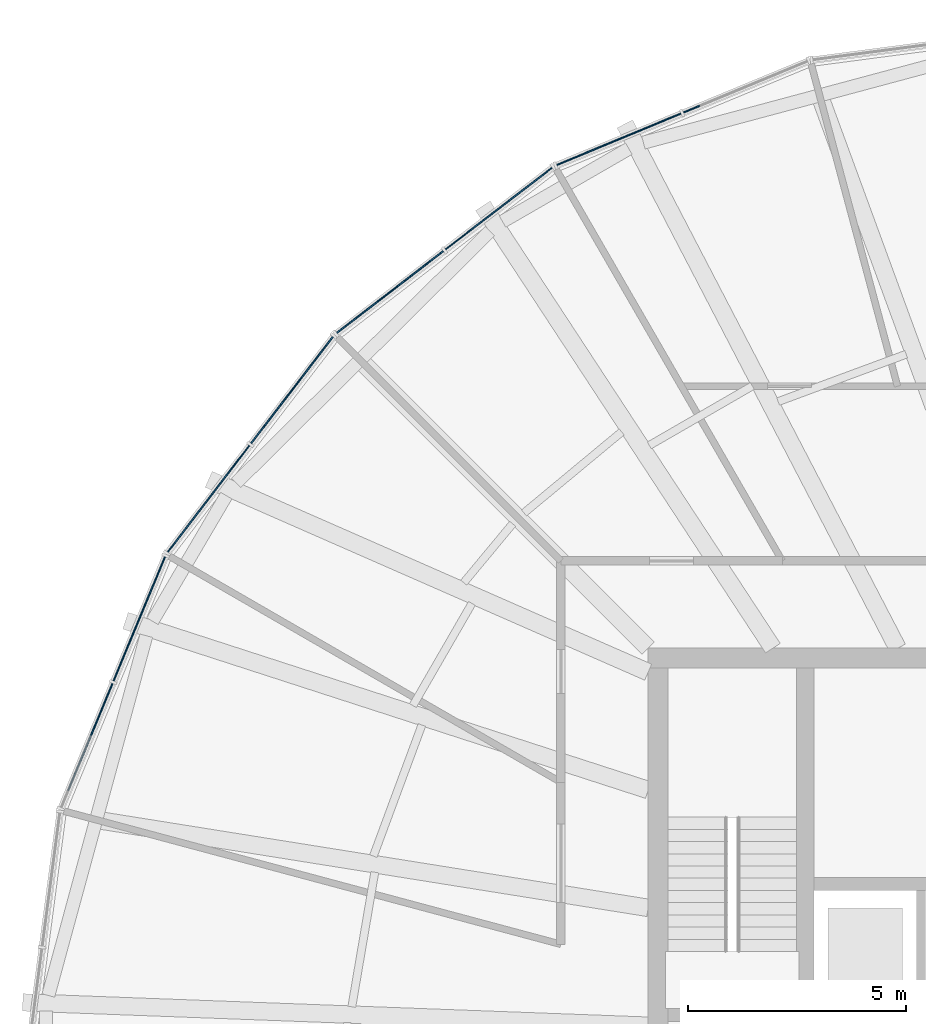
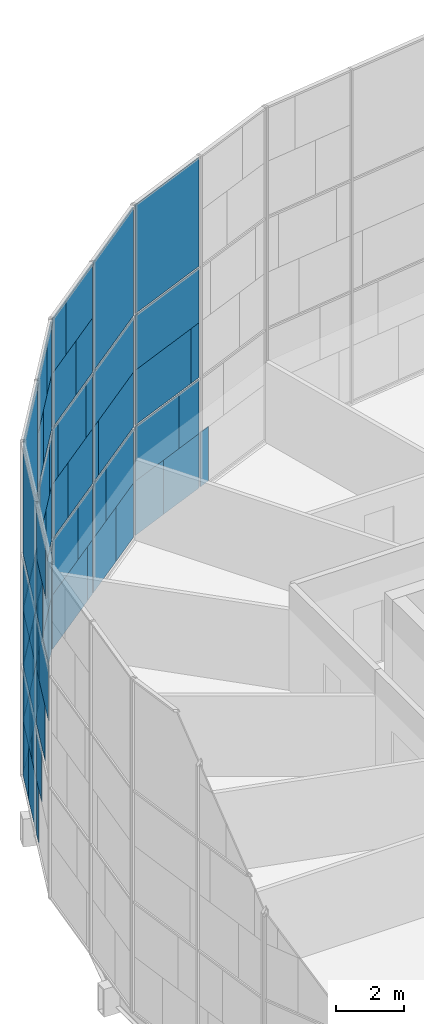
# One storey, part 15 of 22: 66 plates, 4 elements without a shape of their own.
"""IFC4 building model written with IfcOpenShell, lengths in metres."""

from ifc_helpers import new_model, si_unit, direction, frame, origin, origin_2d, place, context, subcontext, project, spatial, rectangle, extrude, material, layer, layer_set, type_object, element, aggregate, save


model = new_model("IFC4")

# Units and contexts
model_context = context("Model", 3, precision=1e-05, world=origin(), true_north=direction((0.0, 1.0)))
body_context = subcontext(model_context, "Body", "Model", "MODEL_VIEW")
ifc_project = project(units=[si_unit("LENGTHUNIT", "METRE"), si_unit("AREAUNIT", "SQUARE_METRE"), si_unit("VOLUMEUNIT", "CUBIC_METRE"), si_unit("PLANEANGLEUNIT", "RADIAN"), si_unit("MASSUNIT", "GRAM", prefix="KILO")], contexts=[model_context])

# Site, building, storey
site_placement = place(None, origin())
site = spatial("IfcSite", under=ifc_project, at=site_placement, CompositionType="ELEMENT")
building_placement = place(site_placement, origin())
building = spatial("IfcBuilding", under=site, at=building_placement, Name="Golbaran Civic Tower", CompositionType="ELEMENT")
storey_placement = place(building_placement, frame((0.0, 0.0, 155.0)))
storey = spatial("IfcBuildingStorey", under=building, at=storey_placement, Name="L37", CompositionType="ELEMENT", Elevation=155.0)

# Curtain wall, plates
ifc_material_1 = material(Name="Aluminium and glass", Category="aluminium")
curtain_wall_type = type_object("IfcCurtainWallType", Name="INNER SKIN CURTAIN WALL", PredefinedType="NOTDEFINED", material=ifc_material_1)
curtain_wall_1_placement = place(storey_placement, origin())
curtain_wall_1 = element("IfcCurtainWall", 1, at=curtain_wall_1_placement, inside=storey, type_object=curtain_wall_type, Name="Inner skin L37 facet 8 CW1", ObjectType="INNER SKIN", PredefinedType="USERDEFINED")
ifc_material_2 = material(Name="Clear insulating glass", Category="glass")
ifc_layer_1 = layer(ifc_material_2, 0.031982421875, Name="Clear insulating glass")
ifc_layer_set_1 = layer_set([ifc_layer_1], Name="Clear insulating glass")
plate_type_1 = type_object("IfcPlateType", Name="INNER SKIN CURTAIN WALL GLAZED PANEL", PredefinedType="CURTAIN_PANEL", material=ifc_layer_set_1)
plate_1_placement = place(storey_placement, frame((-11.4697265625, 21.328369140625, 0.06494140625), z_axis=(0.0, 0.0, 1.0), x_axis=(-0.923879532551, -0.382683432268, 0.0)))
plate_1 = element("IfcPlate", 2, at=plate_1_placement, type_object=plate_type_1, Name="CW1 panel 2.1 part 2", PredefinedType="CURTAIN_PANEL", context=body_context, shape_type="SweptSolid", body=[
    extrude(rectangle(XDim=1.344482421875, YDim=0.031982421875, at=origin_2d()), origin(), (0.0, 0.0, 1.0), 1.951171875),
])
plate_2_placement = place(storey_placement, frame((-11.12158203125, 21.47265625, 2.016357421875), z_axis=(0.0, 0.0, 1.0), x_axis=(-0.923879532551, -0.382683432268, 0.0)))
plate_2 = element("IfcPlate", 3, at=plate_2_placement, type_object=plate_type_1, Name="CW1 panel 2.1 part 4", PredefinedType="CURTAIN_PANEL", context=body_context, shape_type="SweptSolid", body=[
    extrude(rectangle(XDim=2.0986328125, YDim=0.031982421875, at=origin_2d()), origin(), (0.0, 0.0, 1.0), 1.951171875),
])
plate_3_placement = place(storey_placement, frame((-10.85546875, 21.582763671875, 4.03271484375), z_axis=(0.0, 0.0, 1.0), x_axis=(-0.923879532551, -0.382683432268, 0.0)))
plate_3 = element("IfcPlate", 4, at=plate_3_placement, type_object=plate_type_1, Name="CW1 panel 2.2 part 2", PredefinedType="CURTAIN_PANEL", context=body_context, shape_type="SweptSolid", body=[
    extrude(rectangle(XDim=2.674560546875, YDim=0.031982421875, at=origin_2d()), origin(), (0.0, 0.0, 1.0), 1.967529296875),
])
plate_4_placement = place(storey_placement, frame((-10.670654296875, 21.659423828125, 6.0), z_axis=(0.0, 0.0, 1.0), x_axis=(-0.923879532551, -0.382683432268, 0.0)))
plate_4 = element("IfcPlate", 5, at=plate_4_placement, type_object=plate_type_1, Name="CW1 panel 2.2 part 3", PredefinedType="CURTAIN_PANEL", context=body_context, shape_type="SweptSolid", body=[
    extrude(rectangle(XDim=3.074462890625, YDim=0.031982421875, at=origin_2d()), origin(), (0.0, 0.0, 1.0), 1.967529296875),
])
plate_5_placement = place(storey_placement, frame((-10.670654296875, 21.659423828125, 8.0322265625), z_axis=(0.0, 0.0, 1.0), x_axis=(-0.923879532551, -0.382683432268, 0.0)))
plate_5 = element("IfcPlate", 6, at=plate_5_placement, type_object=plate_type_1, Name="CW1 panel 2.3", PredefinedType="CURTAIN_PANEL", context=body_context, shape_type="SweptSolid", body=[
    extrude(rectangle(XDim=3.074462890625, YDim=0.031982421875, at=origin_2d()), origin(), (0.0, 0.0, 1.0), 3.902587890625),
])

curtain_wall_2_placement = place(storey_placement, origin())
curtain_wall_2 = element("IfcCurtainWall", 7, at=curtain_wall_2_placement, inside=storey, type_object=curtain_wall_type, Name="Inner skin L37 facet 9 CW1", ObjectType="INNER SKIN", PredefinedType="USERDEFINED")
plate_6_placement = place(storey_placement, frame((-12.736083984375, 20.59716796875, 0.06494140625), z_axis=(0.0, 0.0, 1.0), x_axis=(-0.793353340217, -0.608761429106, 0.0)))
plate_6 = element("IfcPlate", 8, at=plate_6_placement, type_object=plate_type_1, Name="CW1 panel 1.1 part 1", PredefinedType="CURTAIN_PANEL", context=body_context, shape_type="SweptSolid", body=[
    extrude(rectangle(XDim=1.344970703125, YDim=0.031982421875, at=origin_2d()), origin(), (0.0, 0.0, 1.0), 1.951171875),
])
plate_7_placement = place(storey_placement, frame((-13.034912109375, 20.367919921875, 2.016357421875), z_axis=(0.0, 0.0, 1.0), x_axis=(-0.793353340217, -0.608761429106, 0.0)))
plate_7 = element("IfcPlate", 9, at=plate_7_placement, type_object=plate_type_1, Name="CW1 panel 1.1 part 3", PredefinedType="CURTAIN_PANEL", context=body_context, shape_type="SweptSolid", body=[
    extrude(rectangle(XDim=2.097900390625, YDim=0.031982421875, at=origin_2d()), origin(), (0.0, 0.0, 1.0), 1.951171875),
])
plate_8_placement = place(storey_placement, frame((-13.262939453125, 20.19287109375, 4.03271484375), z_axis=(0.0, 0.0, 1.0), x_axis=(-0.793353340217, -0.608761429106, 0.0)))
plate_8 = element("IfcPlate", 10, at=plate_8_placement, type_object=plate_type_1, Name="CW1 panel 1.2 part 1", PredefinedType="CURTAIN_PANEL", context=body_context, shape_type="SweptSolid", body=[
    extrude(rectangle(XDim=2.673095703125, YDim=0.031982421875, at=origin_2d()), origin(), (0.0, 0.0, 1.0), 1.967529296875),
])
plate_9_placement = place(storey_placement, frame((-13.422119140625, 20.07080078125, 6.0), z_axis=(0.0, 0.0, 1.0), x_axis=(-0.793353340217, -0.608761429106, 0.0)))
plate_9 = element("IfcPlate", 11, at=plate_9_placement, type_object=plate_type_1, Name="CW1 panel 1.2 part 3", PredefinedType="CURTAIN_PANEL", context=body_context, shape_type="SweptSolid", body=[
    extrude(rectangle(XDim=3.074462890625, YDim=0.031982421875, at=origin_2d()), origin(), (0.0, 0.0, 1.0), 1.967529296875),
])
plate_10_placement = place(storey_placement, frame((-13.422119140625, 20.07080078125, 8.0322265625), z_axis=(0.0, 0.0, 1.0), x_axis=(-0.793353340217, -0.608761429106, 0.0)))
plate_10 = element("IfcPlate", 12, at=plate_10_placement, type_object=plate_type_1, Name="CW1 panel 1.3", PredefinedType="CURTAIN_PANEL", context=body_context, shape_type="SweptSolid", body=[
    extrude(rectangle(XDim=3.074462890625, YDim=0.031982421875, at=origin_2d()), origin(), (0.0, 0.0, 1.0), 3.902587890625),
])
plate_11_placement = place(storey_placement, frame((-16.072021484375, 18.037353515625, 0.06494140625), z_axis=(0.0, 0.0, 1.0), x_axis=(-0.793353340217, -0.608761429106, 0.0)))
plate_11 = element("IfcPlate", 13, at=plate_11_placement, type_object=plate_type_1, Name="CW1 panel 2.1 part 2", PredefinedType="CURTAIN_PANEL", context=body_context, shape_type="SweptSolid", body=[
    extrude(rectangle(XDim=2.673583984375, YDim=0.031982421875, at=origin_2d()), origin(), (0.0, 0.0, 1.0), 1.951171875),
])
plate_12_placement = place(storey_placement, frame((-16.353271484375, 17.821533203125, 2.016357421875), z_axis=(0.0, 0.0, 1.0), x_axis=(-0.793353340217, -0.608761429106, 0.0)))
plate_12 = element("IfcPlate", 14, at=plate_12_placement, type_object=plate_type_1, Name="CW1 panel 2.1 part 4", PredefinedType="CURTAIN_PANEL", context=body_context, shape_type="SweptSolid", body=[
    extrude(rectangle(XDim=1.964599609375, YDim=0.031982421875, at=origin_2d()), origin(), (0.0, 0.0, 1.0), 1.951171875),
])
plate_13_placement = place(storey_placement, frame((-16.66455078125, 17.582763671875, 4.03271484375), z_axis=(0.0, 0.0, 1.0), x_axis=(-0.793353340217, -0.608761429106, 0.0)))
plate_13 = element("IfcPlate", 15, at=plate_13_placement, type_object=plate_type_1, Name="CW1 panel 2.2 part 2", PredefinedType="CURTAIN_PANEL", context=body_context, shape_type="SweptSolid", body=[
    extrude(rectangle(XDim=1.179443359375, YDim=0.031982421875, at=origin_2d()), origin(), (0.0, 0.0, 1.0), 1.967529296875),
])
plate_14_placement = place(storey_placement, frame((-14.890380859375, 18.944091796875, 6.0), z_axis=(0.0, 0.0, 1.0), x_axis=(-0.793353340217, -0.608761429106, 0.0)))
plate_14 = element("IfcPlate", 16, at=plate_14_placement, type_object=plate_type_1, Name="CW1 panel 2.2 part 3", PredefinedType="CURTAIN_PANEL", context=body_context, shape_type="SweptSolid", body=[
    extrude(rectangle(XDim=0.4970703125, YDim=0.031982421875, at=origin_2d()), origin(), (0.0, 0.0, 1.0), 1.967529296875),
])
plate_15_placement = place(storey_placement, frame((-16.966064453125, 17.351318359375, 6.0), z_axis=(0.0, 0.0, 1.0), x_axis=(-0.793353340217, -0.608761429106, 0.0)))
plate_15 = element("IfcPlate", 17, at=plate_15_placement, type_object=plate_type_1, Name="CW1 panel 2.2 part 5", PredefinedType="CURTAIN_PANEL", context=body_context, shape_type="SweptSolid", body=[
    extrude(rectangle(XDim=0.41943359375, YDim=0.031982421875, at=origin_2d()), origin(), (0.0, 0.0, 1.0), 1.967529296875),
])
plate_16_placement = place(storey_placement, frame((-15.201904296875, 18.705078125, 8.032470703125), z_axis=(0.0, 0.0, 1.0), x_axis=(-0.793353340217, -0.608761429106, 0.0)))
plate_16 = element("IfcPlate", 18, at=plate_16_placement, type_object=plate_type_1, Name="CW1 panel 2.3 part 1", PredefinedType="CURTAIN_PANEL", context=body_context, shape_type="SweptSolid", body=[
    extrude(rectangle(XDim=1.281982421875, YDim=0.031982421875, at=origin_2d()), origin(), (0.0, 0.0, 1.0), 1.951171875),
])
plate_17_placement = place(storey_placement, frame((-15.50048828125, 18.475830078125, 9.98388671875), z_axis=(0.0, 0.0, 1.0), x_axis=(-0.793353340217, -0.608761429106, 0.0)))
plate_17 = element("IfcPlate", 19, at=plate_17_placement, type_object=plate_type_1, Name="CW1 panel 2.3 part 3", PredefinedType="CURTAIN_PANEL", context=body_context, shape_type="SweptSolid", body=[
    extrude(rectangle(XDim=2.034912109375, YDim=0.031982421875, at=origin_2d()), origin(), (0.0, 0.0, 1.0), 1.951171875),
])

curtain_wall_3_placement = place(storey_placement, origin())
curtain_wall_3 = element("IfcCurtainWall", 20, at=curtain_wall_3_placement, inside=storey, type_object=curtain_wall_type, Name="Inner skin L37 facet 10 CW1", ObjectType="INNER SKIN", PredefinedType="USERDEFINED")
plate_18_placement = place(storey_placement, frame((-18.037353515625, 16.072265625, 0.06494140625), z_axis=(0.0, 0.0, 1.0), x_axis=(-0.608761429106, -0.793353340217, 0.0)))
plate_18 = element("IfcPlate", 21, at=plate_18_placement, type_object=plate_type_1, Name="CW1 panel 1.1 part 1", PredefinedType="CURTAIN_PANEL", context=body_context, shape_type="SweptSolid", body=[
    extrude(rectangle(XDim=2.673095703125, YDim=0.031982421875, at=origin_2d()), origin(), (0.0, 0.0, 1.0), 1.951171875),
])
plate_19_placement = place(storey_placement, frame((-17.821533203125, 16.353515625, 2.016357421875), z_axis=(0.0, 0.0, 1.0), x_axis=(-0.608761429106, -0.793353340217, 0.0)))
plate_19 = element("IfcPlate", 22, at=plate_19_placement, type_object=plate_type_1, Name="CW1 panel 1.1 part 3", PredefinedType="CURTAIN_PANEL", context=body_context, shape_type="SweptSolid", body=[
    extrude(rectangle(XDim=1.964111328125, YDim=0.031982421875, at=origin_2d()), origin(), (0.0, 0.0, 1.0), 1.951171875),
])
plate_20_placement = place(storey_placement, frame((-17.582763671875, 16.66455078125, 4.03271484375), z_axis=(0.0, 0.0, 1.0), x_axis=(-0.608761429106, -0.793353340217, 0.0)))
plate_20 = element("IfcPlate", 23, at=plate_20_placement, type_object=plate_type_1, Name="CW1 panel 1.2 part 1", PredefinedType="CURTAIN_PANEL", context=body_context, shape_type="SweptSolid", body=[
    extrude(rectangle(XDim=1.179931640625, YDim=0.031982421875, at=origin_2d()), origin(), (0.0, 0.0, 1.0), 1.967529296875),
])
plate_21_placement = place(storey_placement, frame((-17.3515625, 16.9658203125, 6.0), z_axis=(0.0, 0.0, 1.0), x_axis=(-0.608761429106, -0.793353340217, 0.0)))
plate_21 = element("IfcPlate", 24, at=plate_21_placement, type_object=plate_type_1, Name="CW1 panel 1.2 part 3", PredefinedType="CURTAIN_PANEL", context=body_context, shape_type="SweptSolid", body=[
    extrude(rectangle(XDim=0.419921875, YDim=0.031982421875, at=origin_2d()), origin(), (0.0, 0.0, 1.0), 1.967529296875),
])
plate_22_placement = place(storey_placement, frame((-18.944091796875, 14.890380859375, 6.0), z_axis=(0.0, 0.0, 1.0), x_axis=(-0.608761429106, -0.793353340217, 0.0)))
plate_22 = element("IfcPlate", 25, at=plate_22_placement, type_object=plate_type_1, Name="CW1 panel 1.2 part 5", PredefinedType="CURTAIN_PANEL", context=body_context, shape_type="SweptSolid", body=[
    extrude(rectangle(XDim=0.49658203125, YDim=0.031982421875, at=origin_2d()), origin(), (0.0, 0.0, 1.0), 1.967529296875),
])
plate_23_placement = place(storey_placement, frame((-18.705322265625, 15.20166015625, 8.032470703125), z_axis=(0.0, 0.0, 1.0), x_axis=(-0.608761429106, -0.793353340217, 0.0)))
plate_23 = element("IfcPlate", 26, at=plate_23_placement, type_object=plate_type_1, Name="CW1 panel 1.3 part 2", PredefinedType="CURTAIN_PANEL", context=body_context, shape_type="SweptSolid", body=[
    extrude(rectangle(XDim=1.281494140625, YDim=0.031982421875, at=origin_2d()), origin(), (0.0, 0.0, 1.0), 1.951171875),
])
plate_24_placement = place(storey_placement, frame((-18.475830078125, 15.500732421875, 9.98388671875), z_axis=(0.0, 0.0, 1.0), x_axis=(-0.608761429106, -0.793353340217, 0.0)))
plate_24 = element("IfcPlate", 27, at=plate_24_placement, type_object=plate_type_1, Name="CW1 panel 1.3 part 4", PredefinedType="CURTAIN_PANEL", context=body_context, shape_type="SweptSolid", body=[
    extrude(rectangle(XDim=2.03564453125, YDim=0.031982421875, at=origin_2d()), origin(), (0.0, 0.0, 1.0), 1.951171875),
])
plate_25_placement = place(storey_placement, frame((-20.597412109375, 12.73583984375, 0.06494140625), z_axis=(0.0, 0.0, 1.0), x_axis=(-0.608761429106, -0.793353340217, 0.0)))
plate_25 = element("IfcPlate", 28, at=plate_25_placement, type_object=plate_type_1, Name="CW1 panel 2.1 part 2", PredefinedType="CURTAIN_PANEL", context=body_context, shape_type="SweptSolid", body=[
    extrude(rectangle(XDim=1.344482421875, YDim=0.031982421875, at=origin_2d()), origin(), (0.0, 0.0, 1.0), 1.951171875),
])
plate_26_placement = place(storey_placement, frame((-20.367919921875, 13.034912109375, 2.016357421875), z_axis=(0.0, 0.0, 1.0), x_axis=(-0.608761429106, -0.793353340217, 0.0)))
plate_26 = element("IfcPlate", 29, at=plate_26_placement, type_object=plate_type_1, Name="CW1 panel 2.1 part 4", PredefinedType="CURTAIN_PANEL", context=body_context, shape_type="SweptSolid", body=[
    extrude(rectangle(XDim=2.0986328125, YDim=0.031982421875, at=origin_2d()), origin(), (0.0, 0.0, 1.0), 1.951171875),
])
plate_27_placement = place(storey_placement, frame((-20.1923828125, 13.263427734375, 4.03271484375), z_axis=(0.0, 0.0, 1.0), x_axis=(-0.608761429106, -0.793353340217, 0.0)))
plate_27 = element("IfcPlate", 30, at=plate_27_placement, type_object=plate_type_1, Name="CW1 panel 2.2 part 2", PredefinedType="CURTAIN_PANEL", context=body_context, shape_type="SweptSolid", body=[
    extrude(rectangle(XDim=2.674560546875, YDim=0.031982421875, at=origin_2d()), origin(), (0.0, 0.0, 1.0), 1.967529296875),
])
plate_28_placement = place(storey_placement, frame((-20.07080078125, 13.422119140625, 6.0), z_axis=(0.0, 0.0, 1.0), x_axis=(-0.608761429106, -0.793353340217, 0.0)))
plate_28 = element("IfcPlate", 31, at=plate_28_placement, type_object=plate_type_1, Name="CW1 panel 2.2 part 3", PredefinedType="CURTAIN_PANEL", context=body_context, shape_type="SweptSolid", body=[
    extrude(rectangle(XDim=3.074462890625, YDim=0.031982421875, at=origin_2d()), origin(), (0.0, 0.0, 1.0), 1.967529296875),
])
plate_29_placement = place(storey_placement, frame((-20.07080078125, 13.422119140625, 8.0322265625), z_axis=(0.0, 0.0, 1.0), x_axis=(-0.608761429106, -0.793353340217, 0.0)))
plate_29 = element("IfcPlate", 32, at=plate_29_placement, type_object=plate_type_1, Name="CW1 panel 2.3", PredefinedType="CURTAIN_PANEL", context=body_context, shape_type="SweptSolid", body=[
    extrude(rectangle(XDim=3.074462890625, YDim=0.031982421875, at=origin_2d()), origin(), (0.0, 0.0, 1.0), 3.902587890625),
])

curtain_wall_4_placement = place(storey_placement, origin())
curtain_wall_4 = element("IfcCurtainWall", 33, at=curtain_wall_4_placement, inside=storey, type_object=curtain_wall_type, Name="Inner skin L37 facet 11 CW1", ObjectType="INNER SKIN", PredefinedType="USERDEFINED")
plate_30_placement = place(storey_placement, frame((-21.328369140625, 11.4697265625, 0.06494140625), z_axis=(0.0, 0.0, 1.0), x_axis=(-0.382683432268, -0.923879532551, 0.0)))
plate_30 = element("IfcPlate", 34, at=plate_30_placement, type_object=plate_type_1, Name="CW1 panel 1.1 part 1", PredefinedType="CURTAIN_PANEL", context=body_context, shape_type="SweptSolid", body=[
    extrude(rectangle(XDim=1.344970703125, YDim=0.031982421875, at=origin_2d()), origin(), (0.0, 0.0, 1.0), 1.951171875),
])
plate_31_placement = place(storey_placement, frame((-21.472412109375, 11.121826171875, 2.016357421875), z_axis=(0.0, 0.0, 1.0), x_axis=(-0.382683432268, -0.923879532551, 0.0)))
plate_31 = element("IfcPlate", 35, at=plate_31_placement, type_object=plate_type_1, Name="CW1 panel 1.1 part 3", PredefinedType="CURTAIN_PANEL", context=body_context, shape_type="SweptSolid", body=[
    extrude(rectangle(XDim=2.097900390625, YDim=0.031982421875, at=origin_2d()), origin(), (0.0, 0.0, 1.0), 1.951171875),
])
plate_32_placement = place(storey_placement, frame((-21.58251953125, 10.856201171875, 4.03271484375), z_axis=(0.0, 0.0, 1.0), x_axis=(-0.382683432268, -0.923879532551, 0.0)))
plate_32 = element("IfcPlate", 36, at=plate_32_placement, type_object=plate_type_1, Name="CW1 panel 1.2 part 1", PredefinedType="CURTAIN_PANEL", context=body_context, shape_type="SweptSolid", body=[
    extrude(rectangle(XDim=2.673095703125, YDim=0.031982421875, at=origin_2d()), origin(), (0.0, 0.0, 1.0), 1.967529296875),
])
plate_33_placement = place(storey_placement, frame((-21.659423828125, 10.670654296875, 6.0), z_axis=(0.0, 0.0, 1.0), x_axis=(-0.382683432268, -0.923879532551, 0.0)))
plate_33 = element("IfcPlate", 37, at=plate_33_placement, type_object=plate_type_1, Name="CW1 panel 1.2 part 3", PredefinedType="CURTAIN_PANEL", context=body_context, shape_type="SweptSolid", body=[
    extrude(rectangle(XDim=3.074462890625, YDim=0.031982421875, at=origin_2d()), origin(), (0.0, 0.0, 1.0), 1.967529296875),
])
plate_34_placement = place(storey_placement, frame((-21.659423828125, 10.670654296875, 8.0322265625), z_axis=(0.0, 0.0, 1.0), x_axis=(-0.382683432268, -0.923879532551, 0.0)))
plate_34 = element("IfcPlate", 38, at=plate_34_placement, type_object=plate_type_1, Name="CW1 panel 1.3", PredefinedType="CURTAIN_PANEL", context=body_context, shape_type="SweptSolid", body=[
    extrude(rectangle(XDim=3.074462890625, YDim=0.031982421875, at=origin_2d()), origin(), (0.0, 0.0, 1.0), 3.902587890625),
])
plate_35_placement = place(storey_placement, frame((-22.36767578125, 8.960693359375, 6.0), z_axis=(0.0, 0.0, 1.0), x_axis=(-0.382683432268, -0.923879532551, 0.0)))
plate_35 = element("IfcPlate", 39, at=plate_35_placement, type_object=plate_type_1, Name="CW1 panel 2.2 part 3", PredefinedType="CURTAIN_PANEL", context=body_context, shape_type="SweptSolid", body=[
    extrude(rectangle(XDim=0.4970703125, YDim=0.031982421875, at=origin_2d()), origin(), (0.0, 0.0, 1.0), 1.967529296875),
])
plate_36_placement = place(storey_placement, frame((-22.517822265625, 8.59814453125, 8.032470703125), z_axis=(0.0, 0.0, 1.0), x_axis=(-0.382683432268, -0.923879532551, 0.0)))
plate_36 = element("IfcPlate", 40, at=plate_36_placement, type_object=plate_type_1, Name="CW1 panel 2.3 part 1", PredefinedType="CURTAIN_PANEL", context=body_context, shape_type="SweptSolid", body=[
    extrude(rectangle(XDim=1.281982421875, YDim=0.031982421875, at=origin_2d()), origin(), (0.0, 0.0, 1.0), 1.951171875),
])
plate_37_placement = place(storey_placement, frame((-22.661865234375, 8.250244140625, 9.98388671875), z_axis=(0.0, 0.0, 1.0), x_axis=(-0.382683432268, -0.923879532551, 0.0)))
plate_37 = element("IfcPlate", 41, at=plate_37_placement, type_object=plate_type_1, Name="CW1 panel 2.3 part 3", PredefinedType="CURTAIN_PANEL", context=body_context, shape_type="SweptSolid", body=[
    extrude(rectangle(XDim=2.034912109375, YDim=0.031982421875, at=origin_2d()), origin(), (0.0, 0.0, 1.0), 1.951171875),
])

# Plate
ifc_material_3 = material(Name="Aluminium faced opaque infill panel", Category="aluminium")
ifc_layer_2 = layer(ifc_material_3, 0.031982421875, Name="Aluminium faced opaque infill panel")
ifc_layer_set_2 = layer_set([ifc_layer_2], Name="Aluminium faced opaque infill panel")
plate_type_2 = type_object("IfcPlateType", Name="INNER SKIN CURTAIN WALL OPAQUE INFILL PANEL", PredefinedType="CURTAIN_PANEL", material=ifc_layer_set_2)
plate_38_placement = place(storey_placement, frame((-9.0048828125, 22.349365234375, 0.06494140625), z_axis=(0.0, 0.0, 1.0), x_axis=(-0.923879532551, -0.382683432268, 0.0)))
plate_38 = element("IfcPlate", 42, at=plate_38_placement, type_object=plate_type_2, Name="CW1 infill panel 1.1 part 2", PredefinedType="CURTAIN_PANEL", context=body_context, shape_type="SweptSolid", body=[
    extrude(rectangle(XDim=0.401611328125, YDim=0.031982421875, at=origin_2d()), origin(), (0.0, 0.0, 1.0), 1.951171875),
])

plate_39_placement = place(storey_placement, frame((-10.049560546875, 21.91650390625, 0.06494140625), z_axis=(0.0, 0.0, 1.0), x_axis=(-0.923879532551, -0.382683432268, 0.0)))
plate_39 = element("IfcPlate", 43, at=plate_39_placement, type_object=plate_type_2, Name="CW1 infill panel 2.1 part 1", PredefinedType="CURTAIN_PANEL", context=body_context, shape_type="SweptSolid", body=[
    extrude(rectangle(XDim=1.72998046875, YDim=0.031982421875, at=origin_2d()), origin(), (0.0, 0.0, 1.0), 1.951171875),
])

plate_40_placement = place(storey_placement, frame((-9.701171875, 22.060791015625, 2.016357421875), z_axis=(0.0, 0.0, 1.0), x_axis=(-0.923879532551, -0.382683432268, 0.0)))
plate_40 = element("IfcPlate", 44, at=plate_40_placement, type_object=plate_type_2, Name="CW1 infill panel 2.1 part 3", PredefinedType="CURTAIN_PANEL", context=body_context, shape_type="SweptSolid", body=[
    extrude(rectangle(XDim=0.97607421875, YDim=0.031982421875, at=origin_2d()), origin(), (0.0, 0.0, 1.0), 1.951171875),
])

plate_41_placement = place(storey_placement, frame((-9.435302734375, 22.171142578125, 4.03271484375), z_axis=(0.0, 0.0, 1.0), x_axis=(-0.923879532551, -0.382683432268, 0.0)))
plate_41 = element("IfcPlate", 45, at=plate_41_placement, type_object=plate_type_2, Name="CW1 infill panel 2.2 part 1", PredefinedType="CURTAIN_PANEL", context=body_context, shape_type="SweptSolid", body=[
    extrude(rectangle(XDim=0.39990234375, YDim=0.031982421875, at=origin_2d()), origin(), (0.0, 0.0, 1.0), 1.967529296875),
])

aggregate(curtain_wall_1, [plate_38, plate_39, plate_1, plate_40, plate_2, plate_41, plate_3, plate_4, plate_5])

plate_42_placement = place(storey_placement, frame((-13.955810546875, 19.661376953125, 0.06494140625), z_axis=(0.0, 0.0, 1.0), x_axis=(-0.793353340217, -0.608761429106, 0.0)))
plate_42 = element("IfcPlate", 46, at=plate_42_placement, type_object=plate_type_2, Name="CW1 infill panel 1.1 part 2", PredefinedType="CURTAIN_PANEL", context=body_context, shape_type="SweptSolid", body=[
    extrude(rectangle(XDim=1.7294921875, YDim=0.031982421875, at=origin_2d()), origin(), (0.0, 0.0, 1.0), 1.951171875),
])

plate_43_placement = place(storey_placement, frame((-14.25439453125, 19.43212890625, 2.016357421875), z_axis=(0.0, 0.0, 1.0), x_axis=(-0.793353340217, -0.608761429106, 0.0)))
plate_43 = element("IfcPlate", 47, at=plate_43_placement, type_object=plate_type_2, Name="CW1 infill panel 1.1 part 4", PredefinedType="CURTAIN_PANEL", context=body_context, shape_type="SweptSolid", body=[
    extrude(rectangle(XDim=0.9765625, YDim=0.031982421875, at=origin_2d()), origin(), (0.0, 0.0, 1.0), 1.951171875),
])

plate_44_placement = place(storey_placement, frame((-14.482421875, 19.257080078125, 4.03271484375), z_axis=(0.0, 0.0, 1.0), x_axis=(-0.793353340217, -0.608761429106, 0.0)))
plate_44 = element("IfcPlate", 48, at=plate_44_placement, type_object=plate_type_2, Name="CW1 infill panel 1.2 part 2", PredefinedType="CURTAIN_PANEL", context=body_context, shape_type="SweptSolid", body=[
    extrude(rectangle(XDim=0.401611328125, YDim=0.031982421875, at=origin_2d()), origin(), (0.0, 0.0, 1.0), 1.967529296875),
])

plate_45_placement = place(storey_placement, frame((-14.852294921875, 18.973388671875, 0.06494140625), z_axis=(0.0, 0.0, 1.0), x_axis=(-0.793353340217, -0.608761429106, 0.0)))
plate_45 = element("IfcPlate", 49, at=plate_45_placement, type_object=plate_type_2, Name="CW1 infill panel 2.1 part 1", PredefinedType="CURTAIN_PANEL", context=body_context, shape_type="SweptSolid", body=[
    extrude(rectangle(XDim=0.40087890625, YDim=0.031982421875, at=origin_2d()), origin(), (0.0, 0.0, 1.0), 1.951171875),
])

plate_46_placement = place(storey_placement, frame((-15.133544921875, 18.757568359375, 2.016357421875), z_axis=(0.0, 0.0, 1.0), x_axis=(-0.793353340217, -0.608761429106, 0.0)))
plate_46 = element("IfcPlate", 50, at=plate_46_placement, type_object=plate_type_2, Name="CW1 infill panel 2.1 part 3", PredefinedType="CURTAIN_PANEL", context=body_context, shape_type="SweptSolid", body=[
    extrude(rectangle(XDim=1.110107421875, YDim=0.031982421875, at=origin_2d()), origin(), (0.0, 0.0, 1.0), 1.951171875),
])

plate_47_placement = place(storey_placement, frame((-15.445068359375, 18.5185546875, 4.03271484375), z_axis=(0.0, 0.0, 1.0), x_axis=(-0.793353340217, -0.608761429106, 0.0)))
plate_47 = element("IfcPlate", 51, at=plate_47_placement, type_object=plate_type_2, Name="CW1 infill panel 2.2 part 1", PredefinedType="CURTAIN_PANEL", context=body_context, shape_type="SweptSolid", body=[
    extrude(rectangle(XDim=1.89501953125, YDim=0.031982421875, at=origin_2d()), origin(), (0.0, 0.0, 1.0), 1.967529296875),
])

plate_48_placement = place(storey_placement, frame((-15.943603515625, 18.135986328125, 6.0), z_axis=(0.0, 0.0, 1.0), x_axis=(-0.793353340217, -0.608761429106, 0.0)))
plate_48 = element("IfcPlate", 52, at=plate_48_placement, type_object=plate_type_2, Name="CW1 infill panel 2.2 part 4", PredefinedType="CURTAIN_PANEL", context=body_context, shape_type="SweptSolid", body=[
    extrude(rectangle(XDim=2.157958984375, YDim=0.031982421875, at=origin_2d()), origin(), (0.0, 0.0, 1.0), 1.967529296875),
])

plate_49_placement = place(storey_placement, frame((-16.42138671875, 17.769287109375, 8.032470703125), z_axis=(0.0, 0.0, 1.0), x_axis=(-0.793353340217, -0.608761429106, 0.0)))
plate_49 = element("IfcPlate", 53, at=plate_49_placement, type_object=plate_type_2, Name="CW1 infill panel 2.3 part 2", PredefinedType="CURTAIN_PANEL", context=body_context, shape_type="SweptSolid", body=[
    extrude(rectangle(XDim=1.79248046875, YDim=0.031982421875, at=origin_2d()), origin(), (0.0, 0.0, 1.0), 1.951171875),
])

plate_50_placement = place(storey_placement, frame((-16.72021484375, 17.5400390625, 9.98388671875), z_axis=(0.0, 0.0, 1.0), x_axis=(-0.793353340217, -0.608761429106, 0.0)))
plate_50 = element("IfcPlate", 54, at=plate_50_placement, type_object=plate_type_2, Name="CW1 infill panel 2.3 part 4", PredefinedType="CURTAIN_PANEL", context=body_context, shape_type="SweptSolid", body=[
    extrude(rectangle(XDim=1.03955078125, YDim=0.031982421875, at=origin_2d()), origin(), (0.0, 0.0, 1.0), 1.951171875),
])

aggregate(curtain_wall_2, [plate_6, plate_42, plate_7, plate_43, plate_8, plate_44, plate_9, plate_10, plate_45, plate_11, plate_46, plate_12, plate_47, plate_13, plate_14, plate_48, plate_15, plate_16, plate_49, plate_17, plate_50])

plate_51_placement = place(storey_placement, frame((-18.97314453125, 14.8525390625, 0.06494140625), z_axis=(0.0, 0.0, 1.0), x_axis=(-0.608761429106, -0.793353340217, 0.0)))
plate_51 = element("IfcPlate", 55, at=plate_51_placement, type_object=plate_type_2, Name="CW1 infill panel 1.1 part 2", PredefinedType="CURTAIN_PANEL", context=body_context, shape_type="SweptSolid", body=[
    extrude(rectangle(XDim=0.401611328125, YDim=0.031982421875, at=origin_2d()), origin(), (0.0, 0.0, 1.0), 1.951171875),
])

plate_52_placement = place(storey_placement, frame((-18.75732421875, 15.1337890625, 2.016357421875), z_axis=(0.0, 0.0, 1.0), x_axis=(-0.608761429106, -0.793353340217, 0.0)))
plate_52 = element("IfcPlate", 56, at=plate_52_placement, type_object=plate_type_2, Name="CW1 infill panel 1.1 part 4", PredefinedType="CURTAIN_PANEL", context=body_context, shape_type="SweptSolid", body=[
    extrude(rectangle(XDim=1.110595703125, YDim=0.031982421875, at=origin_2d()), origin(), (0.0, 0.0, 1.0), 1.951171875),
])

plate_53_placement = place(storey_placement, frame((-18.518798828125, 15.44482421875, 4.03271484375), z_axis=(0.0, 0.0, 1.0), x_axis=(-0.608761429106, -0.793353340217, 0.0)))
plate_53 = element("IfcPlate", 57, at=plate_53_placement, type_object=plate_type_2, Name="CW1 infill panel 1.2 part 2", PredefinedType="CURTAIN_PANEL", context=body_context, shape_type="SweptSolid", body=[
    extrude(rectangle(XDim=1.89453125, YDim=0.031982421875, at=origin_2d()), origin(), (0.0, 0.0, 1.0), 1.967529296875),
])

plate_54_placement = place(storey_placement, frame((-18.13623046875, 15.943359375, 6.0), z_axis=(0.0, 0.0, 1.0), x_axis=(-0.608761429106, -0.793353340217, 0.0)))
plate_54 = element("IfcPlate", 58, at=plate_54_placement, type_object=plate_type_2, Name="CW1 infill panel 1.2 part 4", PredefinedType="CURTAIN_PANEL", context=body_context, shape_type="SweptSolid", body=[
    extrude(rectangle(XDim=2.157958984375, YDim=0.031982421875, at=origin_2d()), origin(), (0.0, 0.0, 1.0), 1.967529296875),
])

plate_55_placement = place(storey_placement, frame((-17.76953125, 16.42138671875, 8.032470703125), z_axis=(0.0, 0.0, 1.0), x_axis=(-0.608761429106, -0.793353340217, 0.0)))
plate_55 = element("IfcPlate", 59, at=plate_55_placement, type_object=plate_type_2, Name="CW1 infill panel 1.3 part 1", PredefinedType="CURTAIN_PANEL", context=body_context, shape_type="SweptSolid", body=[
    extrude(rectangle(XDim=1.79296875, YDim=0.031982421875, at=origin_2d()), origin(), (0.0, 0.0, 1.0), 1.951171875),
])

plate_56_placement = place(storey_placement, frame((-17.5400390625, 16.720458984375, 9.98388671875), z_axis=(0.0, 0.0, 1.0), x_axis=(-0.608761429106, -0.793353340217, 0.0)))
plate_56 = element("IfcPlate", 60, at=plate_56_placement, type_object=plate_type_2, Name="CW1 infill panel 1.3 part 3", PredefinedType="CURTAIN_PANEL", context=body_context, shape_type="SweptSolid", body=[
    extrude(rectangle(XDim=1.0390625, YDim=0.031982421875, at=origin_2d()), origin(), (0.0, 0.0, 1.0), 1.951171875),
])

plate_57_placement = place(storey_placement, frame((-19.661376953125, 13.95556640625, 0.06494140625), z_axis=(0.0, 0.0, 1.0), x_axis=(-0.608761429106, -0.793353340217, 0.0)))
plate_57 = element("IfcPlate", 61, at=plate_57_placement, type_object=plate_type_2, Name="CW1 infill panel 2.1 part 1", PredefinedType="CURTAIN_PANEL", context=body_context, shape_type="SweptSolid", body=[
    extrude(rectangle(XDim=1.72998046875, YDim=0.031982421875, at=origin_2d()), origin(), (0.0, 0.0, 1.0), 1.951171875),
])

plate_58_placement = place(storey_placement, frame((-19.431884765625, 14.254638671875, 2.016357421875), z_axis=(0.0, 0.0, 1.0), x_axis=(-0.608761429106, -0.793353340217, 0.0)))
plate_58 = element("IfcPlate", 62, at=plate_58_placement, type_object=plate_type_2, Name="CW1 infill panel 2.1 part 3", PredefinedType="CURTAIN_PANEL", context=body_context, shape_type="SweptSolid", body=[
    extrude(rectangle(XDim=0.97607421875, YDim=0.031982421875, at=origin_2d()), origin(), (0.0, 0.0, 1.0), 1.951171875),
])

plate_59_placement = place(storey_placement, frame((-19.256591796875, 14.483154296875, 4.03271484375), z_axis=(0.0, 0.0, 1.0), x_axis=(-0.608761429106, -0.793353340217, 0.0)))
plate_59 = element("IfcPlate", 63, at=plate_59_placement, type_object=plate_type_2, Name="CW1 infill panel 2.2 part 1", PredefinedType="CURTAIN_PANEL", context=body_context, shape_type="SweptSolid", body=[
    extrude(rectangle(XDim=0.39990234375, YDim=0.031982421875, at=origin_2d()), origin(), (0.0, 0.0, 1.0), 1.967529296875),
])

aggregate(curtain_wall_3, [plate_18, plate_51, plate_19, plate_52, plate_20, plate_53, plate_21, plate_54, plate_22, plate_55, plate_23, plate_56, plate_24, plate_57, plate_25, plate_58, plate_26, plate_59, plate_27, plate_28, plate_29])

plate_60_placement = place(storey_placement, frame((-21.916748046875, 10.04931640625, 0.06494140625), z_axis=(0.0, 0.0, 1.0), x_axis=(-0.382683432268, -0.923879532551, 0.0)))
plate_60 = element("IfcPlate", 64, at=plate_60_placement, type_object=plate_type_2, Name="CW1 infill panel 1.1 part 2", PredefinedType="CURTAIN_PANEL", context=body_context, shape_type="SweptSolid", body=[
    extrude(rectangle(XDim=1.7294921875, YDim=0.031982421875, at=origin_2d()), origin(), (0.0, 0.0, 1.0), 1.951171875),
])

plate_61_placement = place(storey_placement, frame((-22.060791015625, 9.70166015625, 2.016357421875), z_axis=(0.0, 0.0, 1.0), x_axis=(-0.382683432268, -0.923879532551, 0.0)))
plate_61 = element("IfcPlate", 65, at=plate_61_placement, type_object=plate_type_2, Name="CW1 infill panel 1.1 part 4", PredefinedType="CURTAIN_PANEL", context=body_context, shape_type="SweptSolid", body=[
    extrude(rectangle(XDim=0.9765625, YDim=0.031982421875, at=origin_2d()), origin(), (0.0, 0.0, 1.0), 1.951171875),
])

plate_62_placement = place(storey_placement, frame((-22.170654296875, 9.43603515625, 4.03271484375), z_axis=(0.0, 0.0, 1.0), x_axis=(-0.382683432268, -0.923879532551, 0.0)))
plate_62 = element("IfcPlate", 66, at=plate_62_placement, type_object=plate_type_2, Name="CW1 infill panel 1.2 part 2", PredefinedType="CURTAIN_PANEL", context=body_context, shape_type="SweptSolid", body=[
    extrude(rectangle(XDim=0.401611328125, YDim=0.031982421875, at=origin_2d()), origin(), (0.0, 0.0, 1.0), 1.967529296875),
])

plate_63_placement = place(storey_placement, frame((-22.34912109375, 9.005126953125, 0.06494140625), z_axis=(0.0, 0.0, 1.0), x_axis=(-0.382683432268, -0.923879532551, 0.0)))
plate_63 = element("IfcPlate", 67, at=plate_63_placement, type_object=plate_type_2, Name="CW1 infill panel 2.1 part 1", PredefinedType="CURTAIN_PANEL", context=body_context, shape_type="SweptSolid", body=[
    extrude(rectangle(XDim=0.40087890625, YDim=0.031982421875, at=origin_2d()), origin(), (0.0, 0.0, 1.0), 1.951171875),
])

plate_64_placement = place(storey_placement, frame((-22.48486328125, 8.677734375, 2.016357421875), z_axis=(0.0, 0.0, 1.0), x_axis=(-0.382683432268, -0.923879532551, 0.0)))
plate_64 = element("IfcPlate", 68, at=plate_64_placement, type_object=plate_type_2, Name="CW1 infill panel 2.1 part 3", PredefinedType="CURTAIN_PANEL", context=body_context, shape_type="SweptSolid", body=[
    extrude(rectangle(XDim=1.110107421875, YDim=0.031982421875, at=origin_2d()), origin(), (0.0, 0.0, 1.0), 1.951171875),
])

plate_65_placement = place(storey_placement, frame((-22.635009765625, 8.31494140625, 4.03271484375), z_axis=(0.0, 0.0, 1.0), x_axis=(-0.382683432268, -0.923879532551, 0.0)))
plate_65 = element("IfcPlate", 69, at=plate_65_placement, type_object=plate_type_2, Name="CW1 infill panel 2.2 part 1", PredefinedType="CURTAIN_PANEL", context=body_context, shape_type="SweptSolid", body=[
    extrude(rectangle(XDim=1.89501953125, YDim=0.031982421875, at=origin_2d()), origin(), (0.0, 0.0, 1.0), 1.967529296875),
])

plate_66_placement = place(storey_placement, frame((-22.87548828125, 7.734375, 6.0), z_axis=(0.0, 0.0, 1.0), x_axis=(-0.382683432268, -0.923879532551, 0.0)))
plate_66 = element("IfcPlate", 70, at=plate_66_placement, type_object=plate_type_2, Name="CW1 infill panel 2.2 part 4", PredefinedType="CURTAIN_PANEL", context=body_context, shape_type="SweptSolid", body=[
    extrude(rectangle(XDim=2.157958984375, YDim=0.031982421875, at=origin_2d()), origin(), (0.0, 0.0, 1.0), 1.967529296875),
])

aggregate(curtain_wall_4, [plate_30, plate_60, plate_31, plate_61, plate_32, plate_62, plate_33, plate_34, plate_63, plate_64, plate_65, plate_35, plate_66, plate_36, plate_37])

save(model, "model.ifc")
